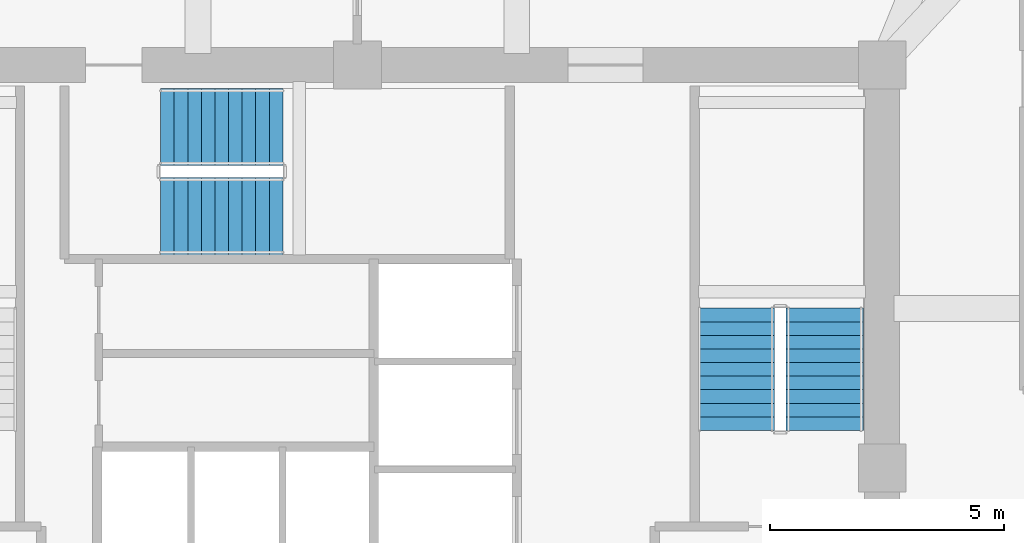
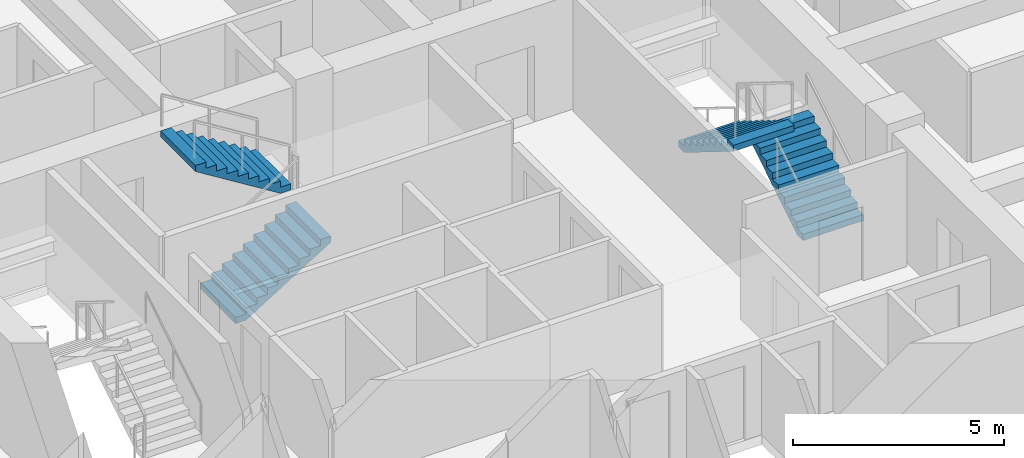
# One storey, part 10 of 12: 4 stair flights, 2 elements without a shape of their own.
"""IFC4 building model written with IfcOpenShell, lengths in metres."""

import ifcopenshell
import ifcopenshell.guid

model = None  # the IFC model being written
_history = None  # IfcOwnerHistory: only IFC2X3 demands one
_inside = {}  # id of a spatial element -> (the spatial element, [elements in it])
_under = {}  # id of a project, library or spatial element -> (it, [spatial elements below it])
_declared = {}  # id of a project -> (the project, [libraries it declares])
_typed = {}  # id of a type object -> (the type object, [elements of that type])
_made_of = {}  # id of a material, layer set ... -> (it, [elements and type objects made of it])


def new_model(schema):
    """Start an empty IFC model of exactly this schema.

    Asked for "IFC4X3", IfcOpenShell would pick the latest addendum, in which some entities
    have other attributes; the version numbers below select the first issue.
    IFC2X3 requires an IfcOwnerHistory on every rooted entity: one is made here for all.
    """
    global model, _history
    if schema == "IFC4X3":
        model = ifcopenshell.file(schema_version=(4, 3, 0, 0))
    else:
        model = ifcopenshell.file(schema=schema)
    _inside.clear()
    _under.clear()
    _declared.clear()
    _typed.clear()
    _made_of.clear()
    _history = None
    if model.schema == "IFC2X3":
        org = make("IfcOrganization", Name="unknown")
        user = make(
            "IfcPersonAndOrganization",
            ThePerson=make("IfcPerson", FamilyName="unknown"),
            TheOrganization=org,
        )
        app = make(
            "IfcApplication",
            ApplicationDeveloper=org,
            Version="unknown",
            ApplicationFullName="unknown",
            ApplicationIdentifier="unknown",
        )
        _history = make(
            "IfcOwnerHistory",
            OwningUser=user,
            OwningApplication=app,
            ChangeAction="ADDED",
            CreationDate=0,
        )
    return model


def make(cls, **values):
    """One entity of the class cls with the attributes given. An attribute that is None is left unset."""
    return model.create_entity(
        cls, **{name: value for name, value in values.items() if value is not None}
    )


def rooted(cls, **values):
    """An entity with a GlobalId (a new one), such as an element, a storey or a relation."""
    return make(cls, GlobalId=ifcopenshell.guid.new(), OwnerHistory=_history, **values)


def si_unit(unit_type, name, prefix=None):
    """IfcSIUnit, for example si_unit("LENGTHUNIT", "METRE", prefix="MILLI")."""
    return make("IfcSIUnit", UnitType=unit_type, Prefix=prefix, Name=name)


def derived_unit(unit_type, elements):
    """IfcDerivedUnit: a product of units, each with its exponent."""
    return make(
        "IfcDerivedUnit",
        Elements=[
            make("IfcDerivedUnitElement", Unit=unit, Exponent=power)
            for unit, power in elements
        ],
        UnitType=unit_type,
    )


def assignment(units):
    """IfcUnitAssignment: the units of a project."""
    return None if units is None else make("IfcUnitAssignment", Units=units)


def point(xyz):
    """IfcCartesianPoint."""
    return None if xyz is None else make("IfcCartesianPoint", Coordinates=xyz)


def direction(xyz):
    """IfcDirection."""
    return None if xyz is None else make("IfcDirection", DirectionRatios=xyz)


def frame(location, z_axis=None, x_axis=None):
    """IfcAxis2Placement3D, a coordinate frame: its origin and axes. An axis left out is left unset."""
    return make(
        "IfcAxis2Placement3D",
        Location=point(location),
        Axis=direction(z_axis),
        RefDirection=direction(x_axis),
    )


def origin():
    """The frame at (0, 0, 0) with its axes left unset."""
    return frame((0.0, 0.0, 0.0))


def place(relative_to, where):
    """IfcLocalPlacement: puts the frame where relative to a parent placement (None: the world)."""
    return make(
        "IfcLocalPlacement", PlacementRelTo=relative_to, RelativePlacement=where
    )


def context(
    kind, dimensions, precision=None, world=None, true_north=None, identifier=None
):
    """IfcGeometricRepresentationContext, for example the 3D "Model" context."""
    return make(
        "IfcGeometricRepresentationContext",
        ContextIdentifier=identifier,
        ContextType=kind,
        CoordinateSpaceDimension=dimensions,
        Precision=precision,
        WorldCoordinateSystem=world,
        TrueNorth=true_north,
    )


def subcontext(parent, identifier, kind, view, scale=None):
    """IfcGeometricRepresentationSubContext, for example "Body" below "Model"."""
    return make(
        "IfcGeometricRepresentationSubContext",
        ContextIdentifier=identifier,
        ContextType=kind,
        ParentContext=parent,
        TargetScale=scale,
        TargetView=view,
    )


def project(units=None, contexts=None):
    """IfcProject with its units and contexts."""
    return rooted(
        "IfcProject",
        Name="project",
        RepresentationContexts=contexts,
        UnitsInContext=assignment(units),
    )


def spatial(cls, under=None, at=None, **own):
    """A site, building, storey or space (cls), placed at a placement, below another one or the project."""
    s = rooted(cls, ObjectPlacement=at, **own)
    if under is not None:
        _under.setdefault(under.id(), (under, []))[1].append(s)
    return s


def polyline(points):
    """IfcPolyline through the points."""
    return make("IfcPolyline", Points=[point(p) for p in points])


def outline(outer, holes=None, kind="AREA"):
    """IfcArbitraryClosedProfileDef: a profile drawn as a closed curve; with holes, ...WithVoids."""
    if holes is None:
        return make("IfcArbitraryClosedProfileDef", ProfileType=kind, OuterCurve=outer)
    return make(
        "IfcArbitraryProfileDefWithVoids",
        ProfileType=kind,
        OuterCurve=outer,
        InnerCurves=holes,
    )


def extrude(swept, where, along, depth):
    """IfcExtrudedAreaSolid: the profile swept, set in the frame where, extruded along a direction by depth."""
    return make(
        "IfcExtrudedAreaSolid",
        SweptArea=swept,
        Position=where,
        ExtrudedDirection=direction(along),
        Depth=depth,
    )


def shape(context_of_items, identifier, shape_type, items):
    """IfcShapeRepresentation: the items that make up one representation, for example the "Body"."""
    return make(
        "IfcShapeRepresentation",
        ContextOfItems=context_of_items,
        RepresentationIdentifier=identifier,
        RepresentationType=shape_type,
        Items=items,
    )


def material(Name=None, Category=None):
    """IfcMaterial."""
    return make("IfcMaterial", Name=Name, Category=Category)


def made_of(thing, what):
    """Note that an element or type object is made of a material, layer set ...; save() writes the relation."""
    if what is not None:
        _made_of.setdefault(what.id(), (what, []))[1].append(thing)
    return thing


def type_object(cls, material=None, **own):
    """A type object (cls), such as IfcWallType, which elements share."""
    return made_of(rooted(cls, **own), material)


def element(
    cls,
    number,
    at=None,
    inside=None,
    cuts=None,
    type_object=None,
    material=None,
    context=None,
    identifier="Body",
    shape_type=None,
    held_by="IfcProductDefinitionShape",
    body=None,
    shapes=None,
    **own,
):
    """One element of the class cls, such as IfcWall. Its Tag is "e" and its number.

    at: its placement. inside: the storey or other place that contains it. cuts: it is an
    opening in that element (IfcRelVoidsElement). A single representation is given by context,
    identifier, shape_type and body (its items); several are given by shapes. held_by: the class
    of the entity that holds the representations. save() writes the other relations.
    """
    e = rooted(cls, Tag="e%d" % number, ObjectPlacement=at, **own)
    if body is not None:
        shapes = [shape(context, identifier, shape_type, body)]
    if shapes is not None:
        e.Representation = make(held_by, Representations=shapes)
    if inside is not None:
        _inside.setdefault(inside.id(), (inside, []))[1].append(e)
    if cuts is not None:
        rooted(
            "IfcRelVoidsElement", RelatingBuildingElement=cuts, RelatedOpeningElement=e
        )
    if type_object is not None:
        _typed.setdefault(type_object.id(), (type_object, []))[1].append(e)
    return made_of(e, material)


def aggregate(whole, parts):
    """IfcRelAggregates: a whole, such as a stair, and the parts it consists of."""
    return rooted("IfcRelAggregates", RelatingObject=whole, RelatedObjects=parts)


def save(model, path):
    """Write the relations noted so far, then the file.

    IfcRelAggregates (storeys below a building ...), IfcRelContainedInSpatialStructure (elements
    in a storey), IfcRelDefinesByType, IfcRelAssociatesMaterial and IfcRelDeclares: one each for
    every whole, place, type object, material and project.
    """
    for whole, parts in _under.values():
        aggregate(whole, parts)
    for where, things in _inside.values():
        rooted(
            "IfcRelContainedInSpatialStructure",
            RelatedElements=things,
            RelatingStructure=where,
        )
    for kind, things in _typed.values():
        rooted("IfcRelDefinesByType", RelatedObjects=things, RelatingType=kind)
    for what, things in _made_of.values():
        rooted("IfcRelAssociatesMaterial", RelatedObjects=things, RelatingMaterial=what)
    for by, libraries in _declared.values():
        rooted("IfcRelDeclares", RelatingContext=by, RelatedDefinitions=libraries)
    model.write(path)


model = new_model("IFC4")

# Units and contexts
model_context = context("Model", 3, precision=1e-05, world=origin(), true_north=direction((0.0, 1.0)))
body_context = subcontext(model_context, "Body", "Model", "MODEL_VIEW")
ifc_project = project(units=[si_unit("LENGTHUNIT", "METRE"), si_unit("AREAUNIT", "SQUARE_METRE"), si_unit("VOLUMEUNIT", "CUBIC_METRE"), si_unit("PLANEANGLEUNIT", "RADIAN"), si_unit("MASSUNIT", "GRAM", prefix="KILO"), derived_unit("THERMALTRANSMITTANCEUNIT", [(si_unit("POWERUNIT", "WATT"), 1), (si_unit("LENGTHUNIT", "METRE"), -2), (si_unit("THERMODYNAMICTEMPERATUREUNIT", "KELVIN"), -1)])], contexts=[model_context])

# Site, building, storey
site_placement = place(None, origin())
site = spatial("IfcSite", under=ifc_project, at=site_placement, CompositionType="ELEMENT")
building_placement = place(site_placement, origin())
building = spatial("IfcBuilding", under=site, at=building_placement, Name="Koralith Skygarden Medical Center", CompositionType="ELEMENT")
storey_placement = place(building_placement, frame((0.0, 0.0, 134.820068359375)))
storey = spatial("IfcBuildingStorey", under=building, at=storey_placement, Name="L34", CompositionType="ELEMENT", Elevation=134.820068359375)

# Stair, stair flights
ifc_material = material(Name="Concrete C45/55", Category="concrete")
stair_type = type_object("IfcStairType", Name="Core Exit Dogleg Concrete Stair", PredefinedType="HALF_TURN_STAIR", material=ifc_material)
stair_1_placement = place(storey_placement, origin())
stair_1 = element("IfcStair", 1, at=stair_1_placement, inside=storey, type_object=stair_type, Name="L34 Smokeproof Exit Stair ST2", PredefinedType="HALF_TURN_STAIR")
stair_flight_type = type_object("IfcStairFlightType", Name="Core Exit Concrete Stair Flight 1650", PredefinedType="STRAIGHT", material=ifc_material)
stair_flight_1_placement = place(storey_placement, frame((46.97509765625, 26.699951171875, 0.0), z_axis=(0.0, 0.0, 1.0), x_axis=(0.0, 1.0, 0.0)))
stair_flight_1 = element("IfcStairFlight", 2, at=stair_flight_1_placement, type_object=stair_flight_type, Name="ST2 flight 1", NumberOfRisers=10, NumberOfTreads=9, PredefinedType="STRAIGHT", RiserHeight=0.18, TreadLength=0.29, context=body_context, shape_type="SweptSolid", body=[
    extrude(outline(polyline([(0.0, 0.0), (0.0, 0.179931640625), (0.2900390625, 0.179931640625), (0.2900390625, 0.360107421875), (0.580078125, 0.360107421875), (0.580078125, 0.5400390625), (0.8701171875, 0.5400390625), (0.8701171875, 0.719970703125), (1.159912109375, 0.719970703125), (1.159912109375, 0.89990234375), (1.449951171875, 0.89990234375), (1.449951171875, 1.080078125), (1.739990234375, 1.080078125), (1.739990234375, 1.260009765625), (2.030029296875, 1.260009765625), (2.030029296875, 1.43994140625), (2.320068359375, 1.43994140625), (2.320068359375, 1.6201171875), (2.610107421875, 1.6201171875), (2.610107421875, 1.800048828125), (2.610107421875, 1.443603515625), (0.2841796875, 0.0), (0.0, 0.0)])), frame((0.0, 0.824951171875, 0.0), z_axis=(0.0, -1.0, 0.0), x_axis=(1.0, 0.0, 0.0)), (0.0, 0.0, 1.0), 1.64990234375),
])
stair_flight_2_placement = place(storey_placement, frame((45.074951171875, 29.31005859375, 1.800048828125), z_axis=(0.0, 0.0, 1.0), x_axis=(0.0, -1.0, 0.0)))
stair_flight_2 = element("IfcStairFlight", 3, at=stair_flight_2_placement, type_object=stair_flight_type, Name="ST2 flight 2", NumberOfRisers=10, NumberOfTreads=9, PredefinedType="STRAIGHT", RiserHeight=0.18, TreadLength=0.29, context=body_context, shape_type="SweptSolid", body=[
    extrude(outline(polyline([(0.0, 0.0), (0.0, 0.179931640625), (0.2900390625, 0.179931640625), (0.2900390625, 0.360107421875), (0.580078125, 0.360107421875), (0.580078125, 0.5400390625), (0.8701171875, 0.5400390625), (0.8701171875, 0.719970703125), (1.159912109375, 0.719970703125), (1.159912109375, 0.89990234375), (1.449951171875, 0.89990234375), (1.449951171875, 1.080078125), (1.739990234375, 1.080078125), (1.739990234375, 1.260009765625), (2.030029296875, 1.260009765625), (2.030029296875, 1.43994140625), (2.320068359375, 1.43994140625), (2.320068359375, 1.6201171875), (2.610107421875, 1.6201171875), (2.610107421875, 1.800048828125), (2.610107421875, 1.443603515625), (0.2841796875, 0.0), (0.0, 0.0)])), frame((0.0, 0.824951171875, 0.0), z_axis=(0.0, -1.0, 0.0), x_axis=(1.0, 0.0, 0.0)), (0.0, 0.0, 1.0), 1.64990234375),
])
aggregate(stair_1, [stair_flight_1, stair_flight_2])

stair_2_placement = place(storey_placement, origin())
stair_2 = element("IfcStair", 4, at=stair_2_placement, inside=storey, type_object=stair_type, Name="L34 Smokeproof Exit Stair ST3", PredefinedType="HALF_TURN_STAIR")
stair_flight_3_placement = place(storey_placement, frame((32.800048828125, 31.27490234375, 0.0), z_axis=(0.0, 0.0, 1.0), x_axis=(1.0, 0.0, 0.0)))
stair_flight_3 = element("IfcStairFlight", 5, at=stair_flight_3_placement, type_object=stair_flight_type, Name="ST3 flight 1", NumberOfRisers=10, NumberOfTreads=9, PredefinedType="STRAIGHT", RiserHeight=0.18, TreadLength=0.29, context=body_context, shape_type="SweptSolid", body=[
    extrude(outline(polyline([(0.0, 0.0), (0.0, 0.179931640625), (0.2900390625, 0.179931640625), (0.2900390625, 0.360107421875), (0.580078125, 0.360107421875), (0.580078125, 0.5400390625), (0.8701171875, 0.5400390625), (0.8701171875, 0.719970703125), (1.159912109375, 0.719970703125), (1.159912109375, 0.89990234375), (1.449951171875, 0.89990234375), (1.449951171875, 1.080078125), (1.739990234375, 1.080078125), (1.739990234375, 1.260009765625), (2.030029296875, 1.260009765625), (2.030029296875, 1.43994140625), (2.320068359375, 1.43994140625), (2.320068359375, 1.6201171875), (2.610107421875, 1.6201171875), (2.610107421875, 1.800048828125), (2.610107421875, 1.443603515625), (0.2841796875, 0.0), (0.0, 0.0)])), frame((0.0, 0.824951171875, 0.0), z_axis=(0.0, -1.0, 0.0), x_axis=(1.0, 0.0, 0.0)), (0.0, 0.0, 1.0), 1.64990234375),
])
stair_flight_4_placement = place(storey_placement, frame((35.409912109375, 33.175048828125, 1.800048828125), z_axis=(0.0, 0.0, 1.0), x_axis=(-1.0, 0.0, 0.0)))
stair_flight_4 = element("IfcStairFlight", 6, at=stair_flight_4_placement, type_object=stair_flight_type, Name="ST3 flight 2", NumberOfRisers=10, NumberOfTreads=9, PredefinedType="STRAIGHT", RiserHeight=0.18, TreadLength=0.29, context=body_context, shape_type="SweptSolid", body=[
    extrude(outline(polyline([(0.0, 0.0), (0.0, 0.179931640625), (0.2900390625, 0.179931640625), (0.2900390625, 0.360107421875), (0.580078125, 0.360107421875), (0.580078125, 0.5400390625), (0.8701171875, 0.5400390625), (0.8701171875, 0.719970703125), (1.159912109375, 0.719970703125), (1.159912109375, 0.89990234375), (1.449951171875, 0.89990234375), (1.449951171875, 1.080078125), (1.739990234375, 1.080078125), (1.739990234375, 1.260009765625), (2.030029296875, 1.260009765625), (2.030029296875, 1.43994140625), (2.320068359375, 1.43994140625), (2.320068359375, 1.6201171875), (2.610107421875, 1.6201171875), (2.610107421875, 1.800048828125), (2.610107421875, 1.443603515625), (0.2841796875, 0.0), (0.0, 0.0)])), frame((0.0, 0.824951171875, 0.0), z_axis=(0.0, -1.0, 0.0), x_axis=(1.0, 0.0, 0.0)), (0.0, 0.0, 1.0), 1.64990234375),
])
aggregate(stair_2, [stair_flight_3, stair_flight_4])

save(model, "model.ifc")
